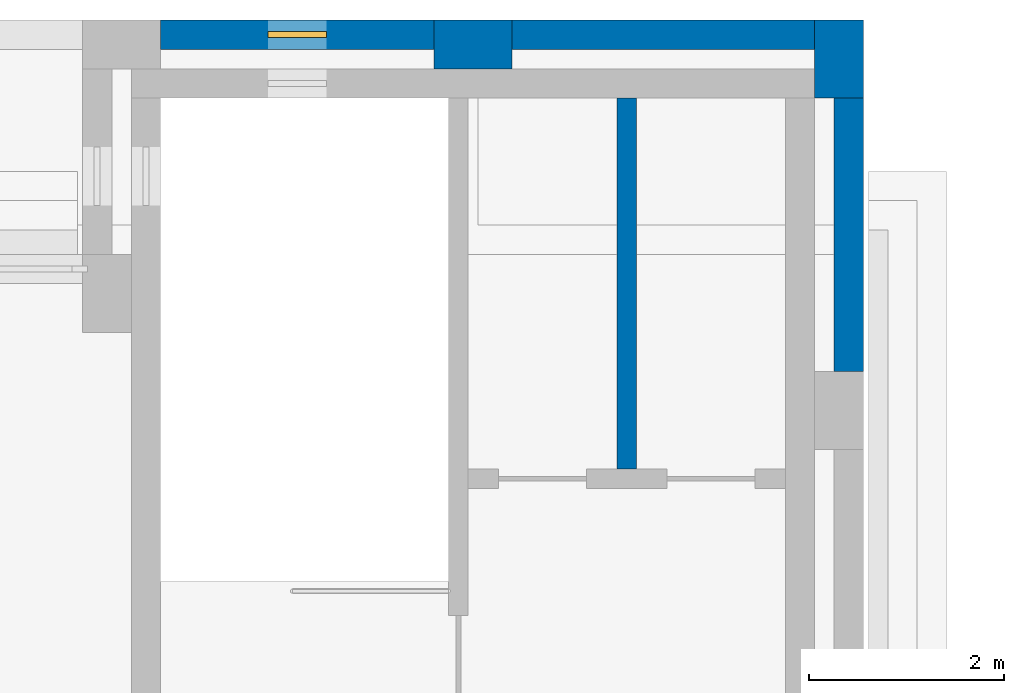
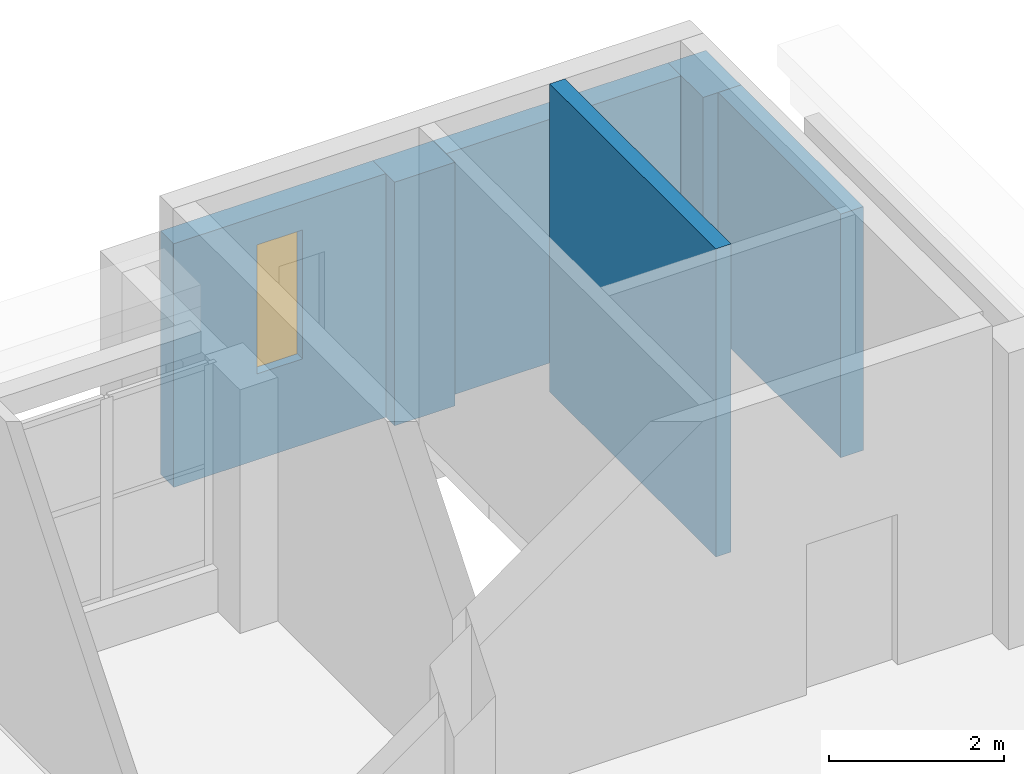
# One storey, part 21 of 30: 6 walls, 1 window, 1 opening.
"""IFC4 building model written with IfcOpenShell, lengths in metres."""

from ifc_helpers import new_model, si_unit, direction, frame, frame_2d, origin, place, context, subcontext, project, spatial, rectangle, extrude, material, layer, layer_set, type_object, element, fill, save


model = new_model("IFC4")

# Units and contexts
model_context = context("Model", 3, precision=1e-05, world=origin(), true_north=direction((0.0, 1.0)))
body_context = subcontext(model_context, "Body", "Model", "MODEL_VIEW")
ifc_project = project(units=[si_unit("LENGTHUNIT", "METRE"), si_unit("AREAUNIT", "SQUARE_METRE"), si_unit("VOLUMEUNIT", "CUBIC_METRE"), si_unit("PLANEANGLEUNIT", "RADIAN"), si_unit("MASSUNIT", "GRAM", prefix="KILO")], contexts=[model_context])

# Site, building, storey
site_placement = place(None, origin())
site = spatial("IfcSite", under=ifc_project, at=site_placement, CompositionType="ELEMENT")
building_placement = place(site_placement, origin())
building = spatial("IfcBuilding", under=site, at=building_placement, Name="Ussher Court Research Institute", CompositionType="ELEMENT")
storey_placement = place(building_placement, frame((0.0, 0.0, 27.89990234375)))
storey = spatial("IfcBuildingStorey", under=building, at=storey_placement, Name="L06", CompositionType="ELEMENT", Elevation=27.89990234375)

# Wall, opening, window
ifc_material_1 = material(Name="Limestone facing on blockwork", Category="masonry")
ifc_layer_1 = layer(ifc_material_1, 0.300048828125)
ifc_layer_set_1 = layer_set([ifc_layer_1], Name="Limestone facing on blockwork")
wall_type_1 = type_object("IfcWallType", Name="External wall 300 stair enclosure", PredefinedType="SOLIDWALL", material=ifc_layer_set_1)
wall_1_placement = place(storey_placement, frame((75.39990234375, 90.64990234375, 0.0), z_axis=(0.0, 0.0, 1.0), x_axis=(1.0, 0.0, 0.0)))
wall_1 = element("IfcWall", 1, at=wall_1_placement, inside=storey, type_object=wall_type_1, Name="External wall EW5 L06", PredefinedType="SOLIDWALL", context=body_context, shape_type="SweptSolid", body=[
    extrude(rectangle(XDim=2.800048828125, YDim=0.300048828125, at=frame_2d((1.39990234375, 0.0))), origin(), (0.0, 0.0, 1.0), 3.400146484375),
])
opening_placement = place(wall_1_placement, frame((1.10009765625, 0.0, 1.199951171875)))
opening = element("IfcOpeningElement", 2, at=opening_placement, cuts=wall_1, Name="Opening W25", PredefinedType="OPENING", context=body_context, shape_type="SweptSolid", body=[
    extrude(rectangle(XDim=0.60009765625, YDim=1.800048828125, at=frame_2d((0.300048828125, 0.89990234375))), frame((0.0, 0.16015625, 0.0), z_axis=(0.0, -1.0, 0.0), x_axis=(1.0, 0.0, 0.0)), (0.0, 0.0, 1.0), 0.320068359375),
])
ifc_material_2 = material(Name="Bronze anodised aluminium with double glazing", Category="aluminium")
window_type = type_object("IfcWindowType", Name="Stair light slot window 600x1800 fire-resisting glazing", PartitioningType="SINGLE_PANEL", PredefinedType="WINDOW", material=ifc_material_2)
window_placement = place(opening_placement, origin())
window = element("IfcWindow", 3, at=window_placement, inside=storey, type_object=window_type, Name="Window W25 L06", OverallHeight=1.800048828125, OverallWidth=0.60009765625, PartitioningType="SINGLE_PANEL", PredefinedType="WINDOW", context=body_context, shape_type="SweptSolid", body=[
    extrude(rectangle(XDim=0.60009765625, YDim=1.800048828125, at=frame_2d((0.300048828125, 0.89990234375))), frame((0.0, 0.030029296875, 0.0), z_axis=(0.0, -1.0, 0.0), x_axis=(1.0, 0.0, 0.0)), (0.0, 0.0, 1.0), 0.06005859375),
])
fill(opening, window)

# Walls
wall_2_placement = place(storey_placement, frame((79.0, 90.64990234375, 0.0), z_axis=(0.0, 0.0, 1.0), x_axis=(1.0, 0.0, 0.0)))
element("IfcWall", 4, at=wall_2_placement, inside=storey, type_object=wall_type_1, Name="External wall EW5 L06", PredefinedType="SOLIDWALL", context=body_context, shape_type="SweptSolid", body=[
    extrude(rectangle(XDim=3.10009765625, YDim=0.300048828125, at=frame_2d((1.550048828125, 0.0))), origin(), (0.0, 0.0, 1.0), 3.400146484375),
])
wall_3_placement = place(storey_placement, frame((82.449951171875, 90.0, 0.0), z_axis=(0.0, 0.0, 1.0), x_axis=(0.0, -1.0, 0.0)))
element("IfcWall", 5, at=wall_3_placement, inside=storey, type_object=wall_type_1, Name="External wall EW5 L06", PredefinedType="SOLIDWALL", context=body_context, shape_type="SweptSolid", body=[
    extrude(rectangle(XDim=2.800048828125, YDim=0.300048828125, at=frame_2d((1.39990234375, 0.0))), origin(), (0.0, 0.0, 1.0), 3.400146484375),
])
ifc_material_3 = material(Name="Blockwork with cream render", Category="masonry")
ifc_layer_2 = layer(ifc_material_3, 0.5)
ifc_layer_set_2 = layer_set([ifc_layer_2], Name="Blockwork with cream render")
wall_type_2 = type_object("IfcWallType", Name="Pier 800x500 cream render", PredefinedType="SOLIDWALL", material=ifc_layer_set_2)
for number, where, z_axis, x_axis, name in (
    (6, (78.199951171875, 90.550048828125, 0.0), (0.0, 0.0, 1.0), (1.0, 0.0, 0.0), "Pier PR1 L06"),
    (7, (82.35009765625, 90.800048828125, 0.0), (0.0, 0.0, 1.0), (0.0, -1.0, 0.0), "Pier PR1 L06"),
):
    element("IfcWall", number, at=place(storey_placement, frame(where, z_axis=z_axis, x_axis=x_axis)), inside=storey, type_object=wall_type_2, Name=name, PredefinedType="SOLIDWALL", context=body_context, shape_type="SweptSolid", body=[
        extrude(rectangle(XDim=0.800048828125, YDim=0.5, at=frame_2d((0.39990234375, 0.0))), origin(), (0.0, 0.0, 1.0), 3.400146484375),
    ])
ifc_material_4 = material(Name="Concrete C35/45", Category="concrete")
ifc_layer_3 = layer(ifc_material_4, 0.199951171875)
ifc_layer_set_3 = layer_set([ifc_layer_3], Name="Concrete C35/45")
wall_type_3 = type_object("IfcWallType", Name="RC core wall 200", PredefinedType="SHEAR", material=ifc_layer_set_3)
wall_4_placement = place(storey_placement, frame((80.175048828125, 86.199951171875, 0.0), z_axis=(0.0, 0.0, 1.0), x_axis=(0.0, 1.0, 0.0)))
element("IfcWall", 8, at=wall_4_placement, inside=storey, type_object=wall_type_3, Name="Core wall D3", PredefinedType="SHEAR", context=body_context, shape_type="SweptSolid", body=[
    extrude(rectangle(XDim=3.800048828125, YDim=0.199951171875, at=frame_2d((1.89990234375, 0.0))), origin(), (0.0, 0.0, 1.0), 4.300048828125),
])

save(model, "model.ifc")
